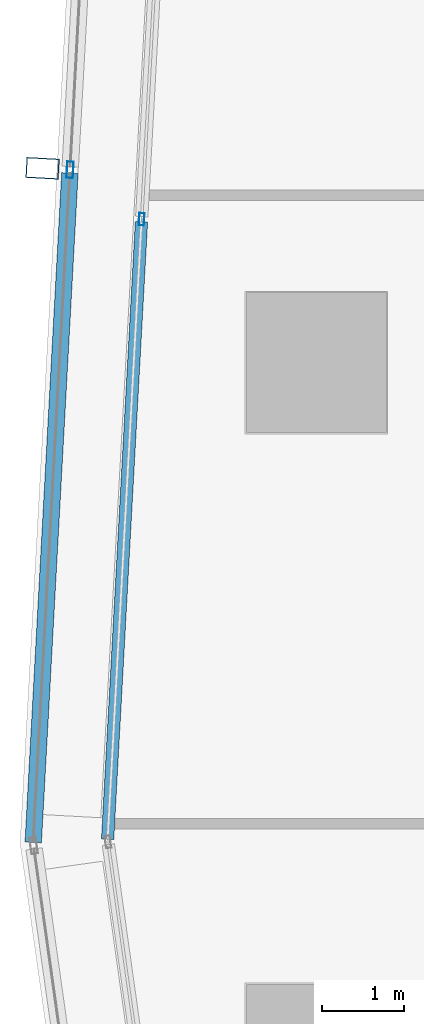
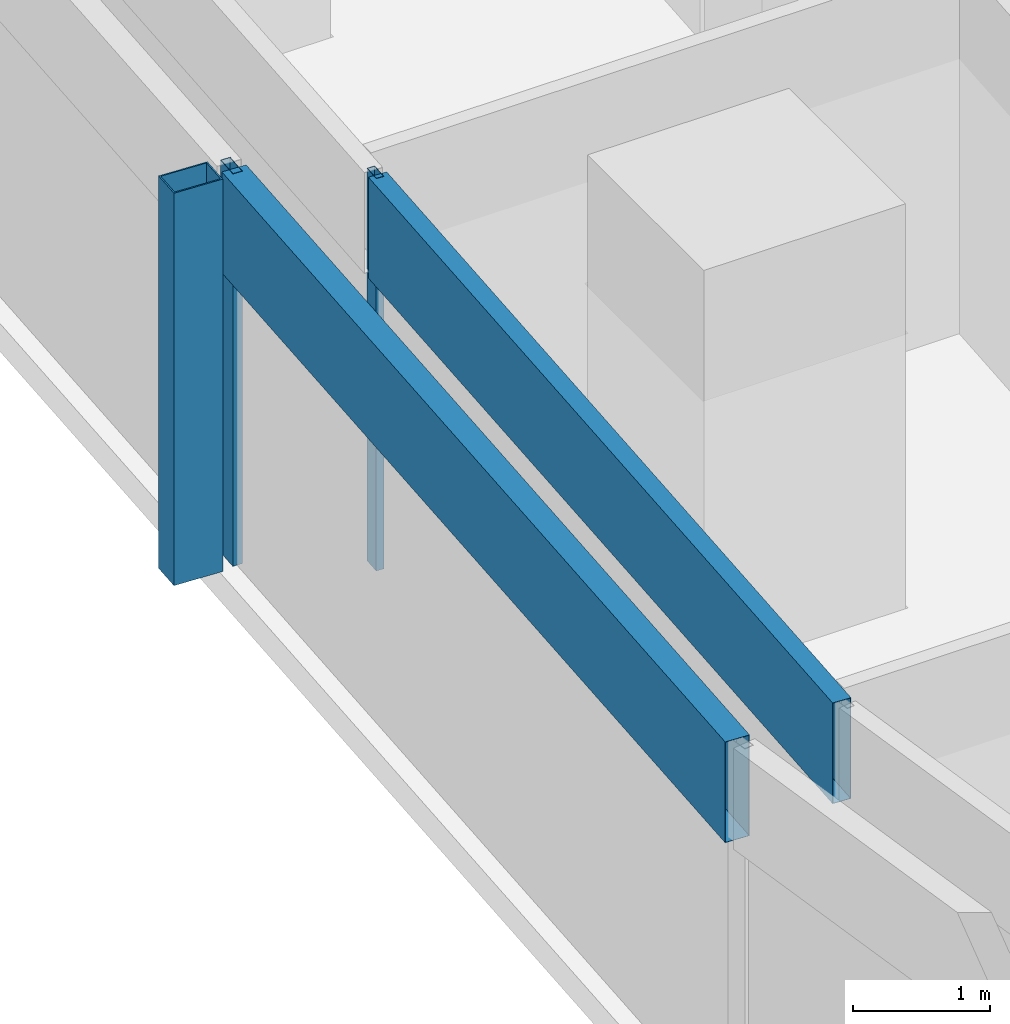
# One storey, part 7 of 40: 5 members, 2 elements without a shape of their own.
"""IFC4 building model written with IfcOpenShell, lengths in metres."""

from ifc_helpers import new_model, si_unit, direction, frame, origin, origin_2d, place, context, subcontext, project, spatial, hollow_rectangle, extrude, material, material_profile, profile_set, type_object, element, aggregate, save


model = new_model("IFC4")

# Units and contexts
model_context = context("Model", 3, precision=1e-05, world=origin(), true_north=direction((0.0, 1.0)))
body_context = subcontext(model_context, "Body", "Model", "MODEL_VIEW")
ifc_project = project(units=[si_unit("LENGTHUNIT", "METRE"), si_unit("AREAUNIT", "SQUARE_METRE"), si_unit("VOLUMEUNIT", "CUBIC_METRE"), si_unit("PLANEANGLEUNIT", "RADIAN"), si_unit("MASSUNIT", "GRAM", prefix="KILO")], contexts=[model_context])

# Site, building, storey
site_placement = place(None, origin())
site = spatial("IfcSite", under=ifc_project, at=site_placement, CompositionType="ELEMENT")
building_placement = place(site_placement, origin())
building = spatial("IfcBuilding", under=site, at=building_placement, Name="Rekha Terrace Tower", CompositionType="ELEMENT")
storey_placement = place(building_placement, frame((0.0, 0.0, 132.800048828125)))
storey = spatial("IfcBuildingStorey", under=building, at=storey_placement, Name="L33", CompositionType="ELEMENT", Elevation=132.800048828125)

# Curtain wall, member
ifc_material_1 = material(Name="Aluminium framing", Category="aluminium")
curtain_wall_type_1 = type_object("IfcCurtainWallType", Name="CW2 double skin outer glazing", PredefinedType="USERDEFINED", material=ifc_material_1)
curtain_wall_1_placement = place(storey_placement, origin())
curtain_wall_1 = element("IfcCurtainWall", 1, at=curtain_wall_1_placement, inside=storey, type_object=curtain_wall_type_1, Name="CW2 double skin outer glazing", ObjectType="DOUBLE SKIN OUTER GLAZING", PredefinedType="USERDEFINED")
ifc_material_2 = material(Name="Steel S355 with fluorocarbon finish", Category="steel")
ifc_material_profile_1 = material_profile(ifc_material_2, hollow_rectangle(XDim=0.25, YDim=0.39990234375, WallThickness=0.012451171875, at=origin_2d()), Name="RHS400x250x12.5")
ifc_profile_set_1 = profile_set([ifc_material_profile_1], Name="Steel S355 with fluorocarbon finish")
member_type_1 = type_object("IfcMemberType", Name="BL1 facade blade RHS 400 x 250", PredefinedType="USERDEFINED", material=ifc_profile_set_1)
member_1_placement = place(storey_placement, frame((5.073974609375, 35.9609375, 0.0), z_axis=(0.0, 0.0, 1.0), x_axis=(-0.054742798353, -0.998500488747, 0.0)))
member_1 = element("IfcMember", 2, at=member_1_placement, type_object=member_type_1, Name="Facade blade", ObjectType="FACADE BLADE", PredefinedType="USERDEFINED", context=body_context, shape_type="SweptSolid", body=[
    extrude(hollow_rectangle(XDim=0.25, YDim=0.39990234375, WallThickness=0.012451171875, at=origin_2d()), origin(), (0.0, 0.0, 1.0), 3.5),
])

# Curtain wall, members
curtain_wall_type_2 = type_object("IfcCurtainWallType", Name="CW1 double skin inner glazing", PredefinedType="USERDEFINED", material=ifc_material_1)
curtain_wall_2_placement = place(storey_placement, origin())
curtain_wall_2 = element("IfcCurtainWall", 3, at=curtain_wall_2_placement, inside=storey, type_object=curtain_wall_type_2, Name="CW1 double skin inner glazing", ObjectType="DOUBLE SKIN INNER GLAZING", PredefinedType="USERDEFINED")
ifc_material_3 = material(Name="Aluminium mullion section", Category="aluminium")
ifc_material_profile_2 = material_profile(ifc_material_3, hollow_rectangle(XDim=0.06494140625, YDim=0.14990234375, WallThickness=0.00390625, at=origin_2d()), Name="AL RHS 65x150")
ifc_profile_set_2 = profile_set([ifc_material_profile_2], Name="Aluminium mullion section")
member_type_2 = type_object("IfcMemberType", Name="CW1 mullion RHS 65 x 150", PredefinedType="MULLION", material=ifc_profile_set_2)
member_2_placement = place(storey_placement, frame((6.27685546875, 35.343017578125, 0.0), z_axis=(0.0, 0.0, 1.0), x_axis=(0.99850051318, -0.054742352707, 0.0)))
member_2 = element("IfcMember", 4, at=member_2_placement, type_object=member_type_2, Name="CW1 mullion 4", PredefinedType="MULLION", context=body_context, shape_type="SweptSolid", body=[
    extrude(hollow_rectangle(XDim=0.06494140625, YDim=0.14990234375, WallThickness=0.00390625, at=origin_2d()), origin(), (0.0, 0.0, 1.0), 3.5),
])
ifc_material_4 = material(Name="Insulated aluminium spandrel box", Category="aluminium")
ifc_material_profile_3 = material_profile(ifc_material_4, hollow_rectangle(XDim=0.14990234375, YDim=0.89990234375, WallThickness=0.0029296875, at=origin_2d()), Name="AL SPANDREL BOX 150x900")
ifc_profile_set_3 = profile_set([ifc_material_profile_3], Name="Insulated aluminium spandrel box")
member_type_3 = type_object("IfcMemberType", Name="CW1 spandrel transom 150 x 900", PredefinedType="USERDEFINED", material=ifc_profile_set_3)
member_3_placement = place(storey_placement, frame((6.275146484375, 35.310546875, 3.050048828125), z_axis=(-0.054756855706, -0.998499717953, 0.0), x_axis=(0.998499717953, -0.054756855706, 0.0)))
member_3 = element("IfcMember", 5, at=member_3_placement, type_object=member_type_3, Name="CW1 spandrel transom 4", ObjectType="TRANSOM", PredefinedType="USERDEFINED", context=body_context, shape_type="SweptSolid", body=[
    extrude(hollow_rectangle(XDim=0.14990234375, YDim=0.89990234375, WallThickness=0.0029296875, at=origin_2d()), origin(), (0.0, 0.0, 1.0), 7.50830078125),
])
aggregate(curtain_wall_2, [member_2, member_3])

# Member
ifc_material_profile_4 = material_profile(ifc_material_3, hollow_rectangle(XDim=0.080078125, YDim=0.199951171875, WallThickness=0.00390625, at=origin_2d()), Name="AL RHS 80x200")
ifc_profile_set_4 = profile_set([ifc_material_profile_4], Name="Aluminium mullion section")
member_type_4 = type_object("IfcMemberType", Name="CW2 mullion RHS 80 x 200", PredefinedType="MULLION", material=ifc_profile_set_4)
member_4_placement = place(storey_placement, frame((5.408447265625, 35.942626953125, 0.0), z_axis=(0.0, 0.0, 1.0), x_axis=(0.99850051318, -0.054742352707, 0.0)))
member_4 = element("IfcMember", 6, at=member_4_placement, type_object=member_type_4, Name="CW2 mullion 4", PredefinedType="MULLION", context=body_context, shape_type="SweptSolid", body=[
    extrude(hollow_rectangle(XDim=0.080078125, YDim=0.199951171875, WallThickness=0.00390625, at=origin_2d()), origin(), (0.0, 0.0, 1.0), 3.5),
])

ifc_material_profile_5 = material_profile(ifc_material_4, hollow_rectangle(XDim=0.199951171875, YDim=0.89990234375, WallThickness=0.0029296875, at=origin_2d()), Name="AL SPANDREL BOX 200x900")
ifc_profile_set_5 = profile_set([ifc_material_profile_5], Name="Insulated aluminium spandrel box")
member_type_5 = type_object("IfcMemberType", Name="CW2 spandrel transom 200 x 900", PredefinedType="USERDEFINED", material=ifc_profile_set_5)
member_5_placement = place(storey_placement, frame((5.40625, 35.902587890625, 3.050048828125), z_axis=(-0.054737434401, -0.998500782812, 0.0), x_axis=(0.998500782812, -0.054737434401, 0.0)))
member_5 = element("IfcMember", 7, at=member_5_placement, type_object=member_type_5, Name="CW2 spandrel transom 4", ObjectType="TRANSOM", PredefinedType="USERDEFINED", context=body_context, shape_type="SweptSolid", body=[
    extrude(hollow_rectangle(XDim=0.199951171875, YDim=0.89990234375, WallThickness=0.0029296875, at=origin_2d()), origin(), (0.0, 0.0, 1.0), 8.139892578125),
])

aggregate(curtain_wall_1, [member_4, member_5, member_1])

save(model, "model.ifc")
